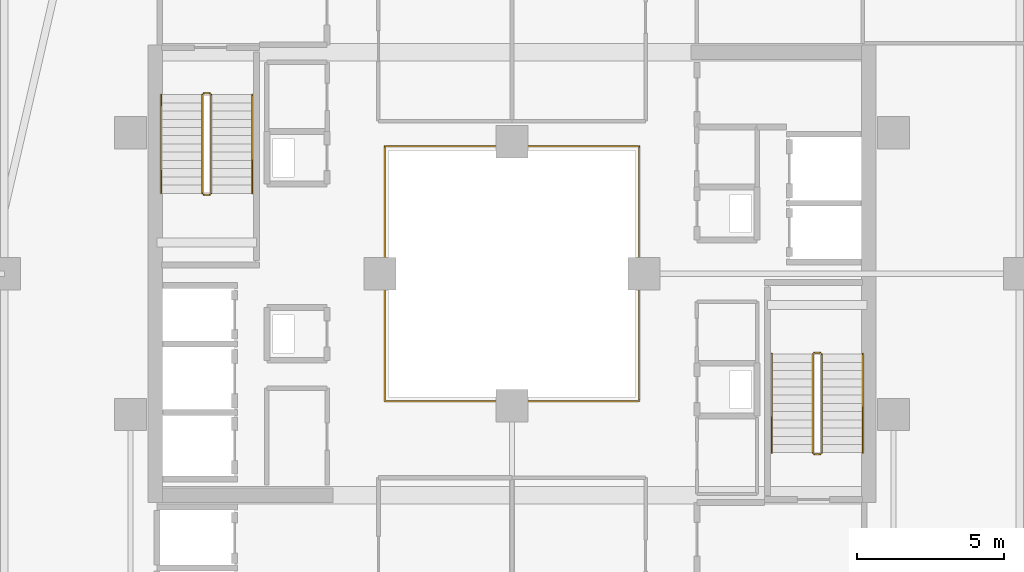
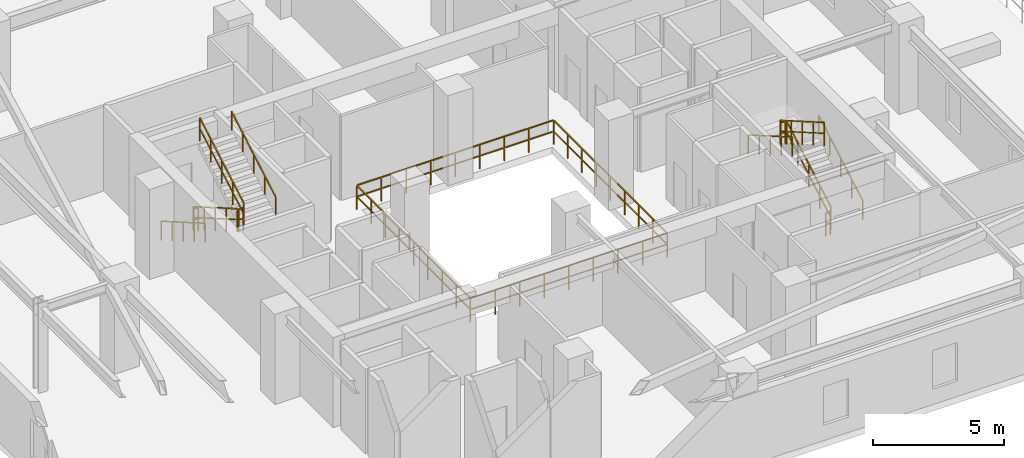
# One storey, part 32 of 33: 13 railings.
"""IFC4 building model written with IfcOpenShell, lengths in metres."""

from ifc_helpers import new_model, si_unit, direction, frame, origin, origin_2d, place, context, subcontext, project, spatial, rectangle, extrude, material, type_object, element, save


model = new_model("IFC4")

# Units and contexts
model_context = context("Model", 3, precision=1e-05, world=origin(), true_north=direction((0.0, 1.0)))
body_context = subcontext(model_context, "Body", "Model", "MODEL_VIEW")
ifc_project = project(units=[si_unit("LENGTHUNIT", "METRE"), si_unit("AREAUNIT", "SQUARE_METRE"), si_unit("VOLUMEUNIT", "CUBIC_METRE"), si_unit("PLANEANGLEUNIT", "RADIAN"), si_unit("MASSUNIT", "GRAM", prefix="KILO")], contexts=[model_context])

# Site, building, storey
site_placement = place(None, origin())
site = spatial("IfcSite", under=ifc_project, at=site_placement, CompositionType="ELEMENT")
building_placement = place(site_placement, origin())
building = spatial("IfcBuilding", under=site, at=building_placement, Name="Thornwick Lancets Civic Towers", CompositionType="ELEMENT")
storey_placement = place(building_placement, frame((0.0, 0.0, 174.300048828125)))
storey = spatial("IfcBuildingStorey", under=building, at=storey_placement, Name="L46", CompositionType="ELEMENT", Elevation=174.300048828125)

# Railings
ifc_material_1 = material(Name="Laminated glass and bronze steel S355", Category="steel")
railing_type_1 = type_object("IfcRailingType", Name="RAIL_ATRIUM_GUARD", PredefinedType="BALUSTRADE", material=ifc_material_1)
railing_1_placement = place(storey_placement, frame((84.159912109375, 22.659912109375, 0.0)))
element("IfcRailing", 1, at=railing_1_placement, inside=storey, type_object=railing_type_1, Name="L46 Tower B Central Atrium Guard Balustrade", PredefinedType="BALUSTRADE", context=body_context, shape_type="SweptSolid", body=[
    extrude(rectangle(XDim=0.048095703125, YDim=0.048095703125, at=origin_2d()), frame((0.0, 0.0, 1.1259765625), z_axis=(1.0, 0.0, 0.0), x_axis=(0.0, 1.0, 0.0)), (0.0, 0.0, 1.0), 8.64892578125),
    extrude(rectangle(XDim=0.0419921875, YDim=0.0419921875, at=origin_2d()), frame((0.03759765625, 0.0, 0.597900390625), z_axis=(1.0, 0.0, 0.0), x_axis=(0.0, 1.0, 0.0)), (0.0, 0.0, 1.0), 1.010009765625),
    extrude(rectangle(XDim=0.0419921875, YDim=0.0419921875, at=origin_2d()), frame((1.12255859375, 0.0, 0.597900390625), z_axis=(1.0, 0.0, 0.0), x_axis=(0.0, 1.0, 0.0)), (0.0, 0.0, 1.0), 1.010009765625),
    extrude(rectangle(XDim=0.0419921875, YDim=0.0419921875, at=origin_2d()), frame((2.20751953125, 0.0, 0.597900390625), z_axis=(1.0, 0.0, 0.0), x_axis=(0.0, 1.0, 0.0)), (0.0, 0.0, 1.0), 1.010009765625),
    extrude(rectangle(XDim=0.0419921875, YDim=0.0419921875, at=origin_2d()), frame((3.29248046875, 0.0, 0.597900390625), z_axis=(1.0, 0.0, 0.0), x_axis=(0.0, 1.0, 0.0)), (0.0, 0.0, 1.0), 1.010009765625),
    extrude(rectangle(XDim=0.0419921875, YDim=0.0419921875, at=origin_2d()), frame((4.377685546875, 0.0, 0.597900390625), z_axis=(1.0, 0.0, 0.0), x_axis=(0.0, 1.0, 0.0)), (0.0, 0.0, 1.0), 1.010009765625),
    extrude(rectangle(XDim=0.0419921875, YDim=0.0419921875, at=origin_2d()), frame((5.462646484375, 0.0, 0.597900390625), z_axis=(1.0, 0.0, 0.0), x_axis=(0.0, 1.0, 0.0)), (0.0, 0.0, 1.0), 1.010009765625),
    extrude(rectangle(XDim=0.0419921875, YDim=0.0419921875, at=origin_2d()), frame((6.547607421875, 0.0, 0.597900390625), z_axis=(1.0, 0.0, 0.0), x_axis=(0.0, 1.0, 0.0)), (0.0, 0.0, 1.0), 1.010009765625),
    extrude(rectangle(XDim=0.0419921875, YDim=0.0419921875, at=origin_2d()), frame((7.632568359375, 0.0, 0.597900390625), z_axis=(1.0, 0.0, 0.0), x_axis=(0.0, 1.0, 0.0)), (0.0, 0.0, 1.0), 1.010009765625),
    extrude(rectangle(XDim=0.048095703125, YDim=0.048095703125, at=origin_2d()), frame((8.68017578125, 0.03125, 1.1259765625), z_axis=(0.0, 1.0, 0.0), x_axis=(-1.0, 0.0, 0.0)), (0.0, 0.0, 1.0), 8.61767578125),
    extrude(rectangle(XDim=0.0419921875, YDim=0.0419921875, at=origin_2d()), frame((8.68017578125, 0.03759765625, 0.597900390625), z_axis=(0.0, 1.0, 0.0), x_axis=(-1.0, 0.0, 0.0)), (0.0, 0.0, 1.0), 1.010009765625),
    extrude(rectangle(XDim=0.0419921875, YDim=0.0419921875, at=origin_2d()), frame((8.68017578125, 1.12255859375, 0.597900390625), z_axis=(0.0, 1.0, 0.0), x_axis=(-1.0, 0.0, 0.0)), (0.0, 0.0, 1.0), 1.010009765625),
    extrude(rectangle(XDim=0.0419921875, YDim=0.0419921875, at=origin_2d()), frame((8.68017578125, 2.20751953125, 0.597900390625), z_axis=(0.0, 1.0, 0.0), x_axis=(-1.0, 0.0, 0.0)), (0.0, 0.0, 1.0), 1.010009765625),
    extrude(rectangle(XDim=0.0419921875, YDim=0.0419921875, at=origin_2d()), frame((8.68017578125, 3.29248046875, 0.597900390625), z_axis=(0.0, 1.0, 0.0), x_axis=(-1.0, 0.0, 0.0)), (0.0, 0.0, 1.0), 1.010009765625),
    extrude(rectangle(XDim=0.0419921875, YDim=0.0419921875, at=origin_2d()), frame((8.68017578125, 4.377685546875, 0.597900390625), z_axis=(0.0, 1.0, 0.0), x_axis=(-1.0, 0.0, 0.0)), (0.0, 0.0, 1.0), 1.010009765625),
    extrude(rectangle(XDim=0.0419921875, YDim=0.0419921875, at=origin_2d()), frame((8.68017578125, 5.462646484375, 0.597900390625), z_axis=(0.0, 1.0, 0.0), x_axis=(-1.0, 0.0, 0.0)), (0.0, 0.0, 1.0), 1.010009765625),
    extrude(rectangle(XDim=0.0419921875, YDim=0.0419921875, at=origin_2d()), frame((8.68017578125, 6.547607421875, 0.597900390625), z_axis=(0.0, 1.0, 0.0), x_axis=(-1.0, 0.0, 0.0)), (0.0, 0.0, 1.0), 1.010009765625),
    extrude(rectangle(XDim=0.0419921875, YDim=0.0419921875, at=origin_2d()), frame((8.68017578125, 7.632568359375, 0.597900390625), z_axis=(0.0, 1.0, 0.0), x_axis=(-1.0, 0.0, 0.0)), (0.0, 0.0, 1.0), 1.010009765625),
    extrude(rectangle(XDim=0.048095703125, YDim=0.048095703125, at=origin_2d()), frame((8.64892578125, 8.68017578125, 1.1259765625), z_axis=(-1.0, 0.0, 0.0), x_axis=(0.0, -1.0, 0.0)), (0.0, 0.0, 1.0), 8.61767578125),
    extrude(rectangle(XDim=0.0419921875, YDim=0.0419921875, at=origin_2d()), frame((8.642578125, 8.68017578125, 0.597900390625), z_axis=(-1.0, 0.0, 0.0), x_axis=(0.0, -1.0, 0.0)), (0.0, 0.0, 1.0), 1.010009765625),
    extrude(rectangle(XDim=0.0419921875, YDim=0.0419921875, at=origin_2d()), frame((7.5576171875, 8.68017578125, 0.597900390625), z_axis=(-1.0, 0.0, 0.0), x_axis=(0.0, -1.0, 0.0)), (0.0, 0.0, 1.0), 1.010009765625),
    extrude(rectangle(XDim=0.0419921875, YDim=0.0419921875, at=origin_2d()), frame((6.47265625, 8.68017578125, 0.597900390625), z_axis=(-1.0, 0.0, 0.0), x_axis=(0.0, -1.0, 0.0)), (0.0, 0.0, 1.0), 1.010009765625),
    extrude(rectangle(XDim=0.0419921875, YDim=0.0419921875, at=origin_2d()), frame((5.3876953125, 8.68017578125, 0.597900390625), z_axis=(-1.0, 0.0, 0.0), x_axis=(0.0, -1.0, 0.0)), (0.0, 0.0, 1.0), 1.010009765625),
    extrude(rectangle(XDim=0.0419921875, YDim=0.0419921875, at=origin_2d()), frame((4.302490234375, 8.68017578125, 0.597900390625), z_axis=(-1.0, 0.0, 0.0), x_axis=(0.0, -1.0, 0.0)), (0.0, 0.0, 1.0), 1.010009765625),
    extrude(rectangle(XDim=0.0419921875, YDim=0.0419921875, at=origin_2d()), frame((3.217529296875, 8.68017578125, 0.597900390625), z_axis=(-1.0, 0.0, 0.0), x_axis=(0.0, -1.0, 0.0)), (0.0, 0.0, 1.0), 1.010009765625),
    extrude(rectangle(XDim=0.0419921875, YDim=0.0419921875, at=origin_2d()), frame((2.132568359375, 8.68017578125, 0.597900390625), z_axis=(-1.0, 0.0, 0.0), x_axis=(0.0, -1.0, 0.0)), (0.0, 0.0, 1.0), 1.010009765625),
    extrude(rectangle(XDim=0.0419921875, YDim=0.0419921875, at=origin_2d()), frame((1.047607421875, 8.68017578125, 0.597900390625), z_axis=(-1.0, 0.0, 0.0), x_axis=(0.0, -1.0, 0.0)), (0.0, 0.0, 1.0), 1.010009765625),
    extrude(rectangle(XDim=0.048095703125, YDim=0.048095703125, at=origin_2d()), frame((0.0, 8.64892578125, 1.1259765625), z_axis=(0.0, -1.0, 0.0), x_axis=(1.0, 0.0, 0.0)), (0.0, 0.0, 1.0), 8.64892578125),
    extrude(rectangle(XDim=0.0419921875, YDim=0.0419921875, at=origin_2d()), frame((0.0, 8.642578125, 0.597900390625), z_axis=(0.0, -1.0, 0.0), x_axis=(1.0, 0.0, 0.0)), (0.0, 0.0, 1.0), 1.010009765625),
    extrude(rectangle(XDim=0.0419921875, YDim=0.0419921875, at=origin_2d()), frame((0.0, 7.5576171875, 0.597900390625), z_axis=(0.0, -1.0, 0.0), x_axis=(1.0, 0.0, 0.0)), (0.0, 0.0, 1.0), 1.010009765625),
    extrude(rectangle(XDim=0.0419921875, YDim=0.0419921875, at=origin_2d()), frame((0.0, 6.47265625, 0.597900390625), z_axis=(0.0, -1.0, 0.0), x_axis=(1.0, 0.0, 0.0)), (0.0, 0.0, 1.0), 1.010009765625),
    extrude(rectangle(XDim=0.0419921875, YDim=0.0419921875, at=origin_2d()), frame((0.0, 5.3876953125, 0.597900390625), z_axis=(0.0, -1.0, 0.0), x_axis=(1.0, 0.0, 0.0)), (0.0, 0.0, 1.0), 1.010009765625),
    extrude(rectangle(XDim=0.0419921875, YDim=0.0419921875, at=origin_2d()), frame((0.0, 4.302490234375, 0.597900390625), z_axis=(0.0, -1.0, 0.0), x_axis=(1.0, 0.0, 0.0)), (0.0, 0.0, 1.0), 1.010009765625),
    extrude(rectangle(XDim=0.0419921875, YDim=0.0419921875, at=origin_2d()), frame((0.0, 3.217529296875, 0.597900390625), z_axis=(0.0, -1.0, 0.0), x_axis=(1.0, 0.0, 0.0)), (0.0, 0.0, 1.0), 1.010009765625),
    extrude(rectangle(XDim=0.0419921875, YDim=0.0419921875, at=origin_2d()), frame((0.0, 2.132568359375, 0.597900390625), z_axis=(0.0, -1.0, 0.0), x_axis=(1.0, 0.0, 0.0)), (0.0, 0.0, 1.0), 1.010009765625),
    extrude(rectangle(XDim=0.0419921875, YDim=0.0419921875, at=origin_2d()), frame((0.0, 1.047607421875, 0.597900390625), z_axis=(0.0, -1.0, 0.0), x_axis=(1.0, 0.0, 0.0)), (0.0, 0.0, 1.0), 1.010009765625),
    extrude(rectangle(XDim=0.0419921875, YDim=0.0419921875, at=origin_2d()), origin(), (0.0, 0.0, 1.0), 1.095703125),
    extrude(rectangle(XDim=0.0419921875, YDim=0.0419921875, at=origin_2d()), frame((1.0849609375, 0.0, 0.0)), (0.0, 0.0, 1.0), 1.095703125),
    extrude(rectangle(XDim=0.0419921875, YDim=0.0419921875, at=origin_2d()), frame((2.169921875, 0.0, 0.0)), (0.0, 0.0, 1.0), 1.095703125),
    extrude(rectangle(XDim=0.0419921875, YDim=0.0419921875, at=origin_2d()), frame((3.255126953125, 0.0, 0.0)), (0.0, 0.0, 1.0), 1.095703125),
    extrude(rectangle(XDim=0.0419921875, YDim=0.0419921875, at=origin_2d()), frame((4.340087890625, 0.0, 0.0)), (0.0, 0.0, 1.0), 1.095703125),
    extrude(rectangle(XDim=0.0419921875, YDim=0.0419921875, at=origin_2d()), frame((5.425048828125, 0.0, 0.0)), (0.0, 0.0, 1.0), 1.095703125),
    extrude(rectangle(XDim=0.0419921875, YDim=0.0419921875, at=origin_2d()), frame((6.51025390625, 0.0, 0.0)), (0.0, 0.0, 1.0), 1.095703125),
    extrude(rectangle(XDim=0.0419921875, YDim=0.0419921875, at=origin_2d()), frame((7.59521484375, 0.0, 0.0)), (0.0, 0.0, 1.0), 1.095703125),
    extrude(rectangle(XDim=0.0419921875, YDim=0.0419921875, at=origin_2d()), frame((8.68017578125, 0.0, 0.0)), (0.0, 0.0, 1.0), 1.095703125),
    extrude(rectangle(XDim=0.0419921875, YDim=0.0419921875, at=origin_2d()), frame((8.68017578125, 1.0849609375, 0.0)), (0.0, 0.0, 1.0), 1.095703125),
    extrude(rectangle(XDim=0.0419921875, YDim=0.0419921875, at=origin_2d()), frame((8.68017578125, 2.169921875, 0.0)), (0.0, 0.0, 1.0), 1.095703125),
    extrude(rectangle(XDim=0.0419921875, YDim=0.0419921875, at=origin_2d()), frame((8.68017578125, 3.255126953125, 0.0)), (0.0, 0.0, 1.0), 1.095703125),
    extrude(rectangle(XDim=0.0419921875, YDim=0.0419921875, at=origin_2d()), frame((8.68017578125, 4.340087890625, 0.0)), (0.0, 0.0, 1.0), 1.095703125),
    extrude(rectangle(XDim=0.0419921875, YDim=0.0419921875, at=origin_2d()), frame((8.68017578125, 5.425048828125, 0.0)), (0.0, 0.0, 1.0), 1.095703125),
    extrude(rectangle(XDim=0.0419921875, YDim=0.0419921875, at=origin_2d()), frame((8.68017578125, 6.51025390625, 0.0)), (0.0, 0.0, 1.0), 1.095703125),
    extrude(rectangle(XDim=0.0419921875, YDim=0.0419921875, at=origin_2d()), frame((8.68017578125, 7.59521484375, 0.0)), (0.0, 0.0, 1.0), 1.095703125),
    extrude(rectangle(XDim=0.0419921875, YDim=0.0419921875, at=origin_2d()), frame((8.68017578125, 8.68017578125, 0.0)), (0.0, 0.0, 1.0), 1.095703125),
    extrude(rectangle(XDim=0.0419921875, YDim=0.0419921875, at=origin_2d()), frame((7.59521484375, 8.68017578125, 0.0)), (0.0, 0.0, 1.0), 1.095703125),
    extrude(rectangle(XDim=0.0419921875, YDim=0.0419921875, at=origin_2d()), frame((6.51025390625, 8.68017578125, 0.0)), (0.0, 0.0, 1.0), 1.095703125),
    extrude(rectangle(XDim=0.0419921875, YDim=0.0419921875, at=origin_2d()), frame((5.425048828125, 8.68017578125, 0.0)), (0.0, 0.0, 1.0), 1.095703125),
    extrude(rectangle(XDim=0.0419921875, YDim=0.0419921875, at=origin_2d()), frame((4.340087890625, 8.68017578125, 0.0)), (0.0, 0.0, 1.0), 1.095703125),
    extrude(rectangle(XDim=0.0419921875, YDim=0.0419921875, at=origin_2d()), frame((3.255126953125, 8.68017578125, 0.0)), (0.0, 0.0, 1.0), 1.095703125),
    extrude(rectangle(XDim=0.0419921875, YDim=0.0419921875, at=origin_2d()), frame((2.169921875, 8.68017578125, 0.0)), (0.0, 0.0, 1.0), 1.095703125),
    extrude(rectangle(XDim=0.0419921875, YDim=0.0419921875, at=origin_2d()), frame((1.0849609375, 8.68017578125, 0.0)), (0.0, 0.0, 1.0), 1.095703125),
    extrude(rectangle(XDim=0.0419921875, YDim=0.0419921875, at=origin_2d()), frame((0.0, 8.68017578125, 0.0)), (0.0, 0.0, 1.0), 1.095703125),
    extrude(rectangle(XDim=0.0419921875, YDim=0.0419921875, at=origin_2d()), frame((0.0, 7.59521484375, 0.0)), (0.0, 0.0, 1.0), 1.095703125),
    extrude(rectangle(XDim=0.0419921875, YDim=0.0419921875, at=origin_2d()), frame((0.0, 6.51025390625, 0.0)), (0.0, 0.0, 1.0), 1.095703125),
    extrude(rectangle(XDim=0.0419921875, YDim=0.0419921875, at=origin_2d()), frame((0.0, 5.425048828125, 0.0)), (0.0, 0.0, 1.0), 1.095703125),
    extrude(rectangle(XDim=0.0419921875, YDim=0.0419921875, at=origin_2d()), frame((0.0, 4.340087890625, 0.0)), (0.0, 0.0, 1.0), 1.095703125),
    extrude(rectangle(XDim=0.0419921875, YDim=0.0419921875, at=origin_2d()), frame((0.0, 3.255126953125, 0.0)), (0.0, 0.0, 1.0), 1.095703125),
    extrude(rectangle(XDim=0.0419921875, YDim=0.0419921875, at=origin_2d()), frame((0.0, 2.169921875, 0.0)), (0.0, 0.0, 1.0), 1.095703125),
    extrude(rectangle(XDim=0.0419921875, YDim=0.0419921875, at=origin_2d()), frame((0.0, 1.0849609375, 0.0)), (0.0, 0.0, 1.0), 1.095703125),
])
ifc_material_2 = material(Name="Brushed stainless steel S355", Category="steel")
railing_type_2 = type_object("IfcRailingType", Name="RAIL_HANDRAIL", PredefinedType="HANDRAIL", material=ifc_material_2)
railing_2_placement = place(storey_placement, frame((100.449951171875, 20.89990234375, 0.161376953125)))
element("IfcRailing", 2, at=railing_2_placement, inside=storey, type_object=railing_type_2, Name="L46 ST-B1 stair handrail 1", PredefinedType="HANDRAIL", context=body_context, shape_type="SweptSolid", body=[
    extrude(rectangle(XDim=0.048095703125, YDim=0.048095703125, at=origin_2d()), frame((0.0, 0.0, 0.8857421875), z_axis=(0.0, 0.866190824863, 0.499713372768), x_axis=(-1.0, 0.0, 0.0)), (0.0, 0.0, 1.0), 3.879150390625),
    extrude(rectangle(XDim=0.0419921875, YDim=0.0419921875, at=origin_2d()), origin(), (0.0, 0.0, 1.0), 0.855712890625),
    extrude(rectangle(XDim=0.0419921875, YDim=0.0419921875, at=origin_2d()), frame((0.0, 0.840087890625, 0.484619140625)), (0.0, 0.0, 1.0), 0.855712890625),
    extrude(rectangle(XDim=0.0419921875, YDim=0.0419921875, at=origin_2d()), frame((0.0, 1.68017578125, 0.96923828125)), (0.0, 0.0, 1.0), 0.855712890625),
    extrude(rectangle(XDim=0.0419921875, YDim=0.0419921875, at=origin_2d()), frame((0.0, 2.52001953125, 1.453857421875)), (0.0, 0.0, 1.0), 0.855712890625),
    extrude(rectangle(XDim=0.0419921875, YDim=0.0419921875, at=origin_2d()), frame((0.0, 3.360107421875, 1.9384765625)), (0.0, 0.0, 1.0), 0.855712890625),
])
for number, where, name in (
    (3, (97.35009765625, 24.260009765625, 2.261474609375), "L46 ST-B1 stair handrail 2"),
    (4, (76.550048828125, 33.10009765625, 0.161376953125), "L46 ST-B2 stair handrail 1"),
):
    element("IfcRailing", number, at=place(storey_placement, frame(where)), inside=storey, type_object=railing_type_2, Name=name, PredefinedType="HANDRAIL", context=body_context, shape_type="SweptSolid", body=[
        extrude(rectangle(XDim=0.048095703125, YDim=0.048095703125, at=origin_2d()), frame((0.0, 0.0, 0.8857421875), z_axis=(0.0, -0.866190824863, 0.499713372768), x_axis=(1.0, 0.0, 0.0)), (0.0, 0.0, 1.0), 3.879150390625),
        extrude(rectangle(XDim=0.0419921875, YDim=0.0419921875, at=origin_2d()), origin(), (0.0, 0.0, 1.0), 0.855712890625),
        extrude(rectangle(XDim=0.0419921875, YDim=0.0419921875, at=origin_2d()), frame((0.0, -0.840087890625, 0.484619140625)), (0.0, 0.0, 1.0), 0.855712890625),
        extrude(rectangle(XDim=0.0419921875, YDim=0.0419921875, at=origin_2d()), frame((0.0, -1.68017578125, 0.96923828125)), (0.0, 0.0, 1.0), 0.855712890625),
        extrude(rectangle(XDim=0.0419921875, YDim=0.0419921875, at=origin_2d()), frame((0.0, -2.52001953125, 1.453857421875)), (0.0, 0.0, 1.0), 0.855712890625),
        extrude(rectangle(XDim=0.0419921875, YDim=0.0419921875, at=origin_2d()), frame((0.0, -3.360107421875, 1.9384765625)), (0.0, 0.0, 1.0), 0.855712890625),
    ])
railing_3_placement = place(storey_placement, frame((79.64990234375, 29.739990234375, 2.261474609375)))
element("IfcRailing", 5, at=railing_3_placement, inside=storey, type_object=railing_type_2, Name="L46 ST-B2 stair handrail 2", PredefinedType="HANDRAIL", context=body_context, shape_type="SweptSolid", body=[
    extrude(rectangle(XDim=0.048095703125, YDim=0.048095703125, at=origin_2d()), frame((0.0, 0.0, 0.8857421875), z_axis=(0.0, 0.866190824863, 0.499713372768), x_axis=(-1.0, 0.0, 0.0)), (0.0, 0.0, 1.0), 3.879150390625),
    extrude(rectangle(XDim=0.0419921875, YDim=0.0419921875, at=origin_2d()), origin(), (0.0, 0.0, 1.0), 0.855712890625),
    extrude(rectangle(XDim=0.0419921875, YDim=0.0419921875, at=origin_2d()), frame((0.0, 0.840087890625, 0.484619140625)), (0.0, 0.0, 1.0), 0.855712890625),
    extrude(rectangle(XDim=0.0419921875, YDim=0.0419921875, at=origin_2d()), frame((0.0, 1.68017578125, 0.96923828125)), (0.0, 0.0, 1.0), 0.855712890625),
    extrude(rectangle(XDim=0.0419921875, YDim=0.0419921875, at=origin_2d()), frame((0.0, 2.52001953125, 1.453857421875)), (0.0, 0.0, 1.0), 0.855712890625),
    extrude(rectangle(XDim=0.0419921875, YDim=0.0419921875, at=origin_2d()), frame((0.0, 3.360107421875, 1.9384765625)), (0.0, 0.0, 1.0), 0.855712890625),
])
ifc_material_3 = material(Name="Steel S355JR", Category="steel")
railing_type_3 = type_object("IfcRailingType", Name="RAIL_STAIR_GUARD", PredefinedType="GUARDRAIL", material=ifc_material_3)
railing_4_placement = place(storey_placement, frame((99.050048828125, 20.89990234375, 0.161376953125)))
element("IfcRailing", 6, at=railing_4_placement, inside=storey, type_object=railing_type_3, Name="L46 ST-B1 stair guard 1", PredefinedType="GUARDRAIL", context=body_context, shape_type="SweptSolid", body=[
    extrude(rectangle(XDim=0.048095703125, YDim=0.048095703125, at=origin_2d()), frame((0.0, 0.0, 1.076171875), z_axis=(0.0, 0.866190824863, 0.499713372768), x_axis=(-1.0, 0.0, 0.0)), (0.0, 0.0, 1.0), 3.879150390625),
    extrude(rectangle(XDim=0.0419921875, YDim=0.0419921875, at=origin_2d()), frame((0.0, 0.032470703125, 0.5908203125), z_axis=(0.0, 0.866190824863, 0.499713372768), x_axis=(-1.0, 0.0, 0.0)), (0.0, 0.0, 1.0), 0.894775390625),
    extrude(rectangle(XDim=0.0419921875, YDim=0.0419921875, at=origin_2d()), frame((0.0, 0.87255859375, 1.075439453125), z_axis=(0.0, 0.866190824863, 0.499713372768), x_axis=(-1.0, 0.0, 0.0)), (0.0, 0.0, 1.0), 0.894775390625),
    extrude(rectangle(XDim=0.0419921875, YDim=0.0419921875, at=origin_2d()), frame((0.0, 1.712646484375, 1.56005859375), z_axis=(0.0, 0.866190824863, 0.499713372768), x_axis=(-1.0, 0.0, 0.0)), (0.0, 0.0, 1.0), 0.894775390625),
    extrude(rectangle(XDim=0.0419921875, YDim=0.0419921875, at=origin_2d()), frame((0.0, 2.552490234375, 2.044677734375), z_axis=(0.0, 0.866190824863, 0.499713372768), x_axis=(-1.0, 0.0, 0.0)), (0.0, 0.0, 1.0), 0.894775390625),
    extrude(rectangle(XDim=0.0419921875, YDim=0.0419921875, at=origin_2d()), origin(), (0.0, 0.0, 1.0), 1.0458984375),
    extrude(rectangle(XDim=0.0419921875, YDim=0.0419921875, at=origin_2d()), frame((0.0, 0.840087890625, 0.484619140625)), (0.0, 0.0, 1.0), 1.0458984375),
    extrude(rectangle(XDim=0.0419921875, YDim=0.0419921875, at=origin_2d()), frame((0.0, 1.68017578125, 0.96923828125)), (0.0, 0.0, 1.0), 1.0458984375),
    extrude(rectangle(XDim=0.0419921875, YDim=0.0419921875, at=origin_2d()), frame((0.0, 2.52001953125, 1.453857421875)), (0.0, 0.0, 1.0), 1.0458984375),
    extrude(rectangle(XDim=0.0419921875, YDim=0.0419921875, at=origin_2d()), frame((0.0, 3.360107421875, 1.9384765625)), (0.0, 0.0, 1.0), 1.0458984375),
])
railing_5_placement = place(storey_placement, frame((99.0, 24.31005859375, 2.099853515625)))
element("IfcRailing", 7, at=railing_5_placement, inside=storey, type_object=railing_type_3, Name="L46 ST-B1 stair guard 2", PredefinedType="GUARDRAIL", context=body_context, shape_type="SweptSolid", body=[
    extrude(rectangle(XDim=0.048095703125, YDim=0.048095703125, at=origin_2d()), frame((0.0, 0.0, 1.076171875), z_axis=(-1.0, 0.0, 0.0), x_axis=(0.0, -1.0, 0.0)), (0.0, 0.0, 1.0), 0.199951171875),
    extrude(rectangle(XDim=0.0419921875, YDim=0.0419921875, at=origin_2d()), frame((-0.03759765625, 0.0, 0.572021484375), z_axis=(-1.0, 0.0, 0.0), x_axis=(0.0, -1.0, 0.0)), (0.0, 0.0, 1.0), 0.125),
    extrude(rectangle(XDim=0.0419921875, YDim=0.0419921875, at=origin_2d()), origin(), (0.0, 0.0, 1.0), 1.0458984375),
    extrude(rectangle(XDim=0.0419921875, YDim=0.0419921875, at=origin_2d()), frame((-0.199951171875, 0.0, 0.0)), (0.0, 0.0, 1.0), 1.0458984375),
])
railing_6_placement = place(storey_placement, frame((98.75, 24.260009765625, 2.261474609375)))
element("IfcRailing", 8, at=railing_6_placement, inside=storey, type_object=railing_type_3, Name="L46 ST-B1 stair guard 3", PredefinedType="GUARDRAIL", context=body_context, shape_type="SweptSolid", body=[
    extrude(rectangle(XDim=0.048095703125, YDim=0.048095703125, at=origin_2d()), frame((0.0, 0.0, 1.076171875), z_axis=(0.0, -0.866190824863, 0.499713372768), x_axis=(1.0, 0.0, 0.0)), (0.0, 0.0, 1.0), 3.879150390625),
    extrude(rectangle(XDim=0.0419921875, YDim=0.0419921875, at=origin_2d()), frame((0.0, -0.032470703125, 0.5908203125), z_axis=(0.0, -0.866190824863, 0.499713372768), x_axis=(1.0, 0.0, 0.0)), (0.0, 0.0, 1.0), 0.894775390625),
    extrude(rectangle(XDim=0.0419921875, YDim=0.0419921875, at=origin_2d()), frame((0.0, -0.87255859375, 1.075439453125), z_axis=(0.0, -0.866190824863, 0.499713372768), x_axis=(1.0, 0.0, 0.0)), (0.0, 0.0, 1.0), 0.894775390625),
    extrude(rectangle(XDim=0.0419921875, YDim=0.0419921875, at=origin_2d()), frame((0.0, -1.712646484375, 1.56005859375), z_axis=(0.0, -0.866190824863, 0.499713372768), x_axis=(1.0, 0.0, 0.0)), (0.0, 0.0, 1.0), 0.894775390625),
    extrude(rectangle(XDim=0.0419921875, YDim=0.0419921875, at=origin_2d()), frame((0.0, -2.552490234375, 2.044677734375), z_axis=(0.0, -0.866190824863, 0.499713372768), x_axis=(1.0, 0.0, 0.0)), (0.0, 0.0, 1.0), 0.894775390625),
    extrude(rectangle(XDim=0.0419921875, YDim=0.0419921875, at=origin_2d()), origin(), (0.0, 0.0, 1.0), 1.0458984375),
    extrude(rectangle(XDim=0.0419921875, YDim=0.0419921875, at=origin_2d()), frame((0.0, -0.840087890625, 0.484619140625)), (0.0, 0.0, 1.0), 1.0458984375),
    extrude(rectangle(XDim=0.0419921875, YDim=0.0419921875, at=origin_2d()), frame((0.0, -1.68017578125, 0.96923828125)), (0.0, 0.0, 1.0), 1.0458984375),
    extrude(rectangle(XDim=0.0419921875, YDim=0.0419921875, at=origin_2d()), frame((0.0, -2.52001953125, 1.453857421875)), (0.0, 0.0, 1.0), 1.0458984375),
    extrude(rectangle(XDim=0.0419921875, YDim=0.0419921875, at=origin_2d()), frame((0.0, -3.360107421875, 1.9384765625)), (0.0, 0.0, 1.0), 1.0458984375),
])
railing_7_placement = place(storey_placement, frame((99.0, 20.85009765625, 0.0)))
element("IfcRailing", 9, at=railing_7_placement, inside=storey, type_object=railing_type_3, Name="L46 ST-B1 stair guard 4", PredefinedType="GUARDRAIL", context=body_context, shape_type="SweptSolid", body=[
    extrude(rectangle(XDim=0.048095703125, YDim=0.048095703125, at=origin_2d()), frame((0.0, 0.0, 1.076171875), z_axis=(-1.0, 0.0, 0.0), x_axis=(0.0, -1.0, 0.0)), (0.0, 0.0, 1.0), 0.199951171875),
    extrude(rectangle(XDim=0.0419921875, YDim=0.0419921875, at=origin_2d()), frame((-0.03759765625, 0.0, 0.572021484375), z_axis=(-1.0, 0.0, 0.0), x_axis=(0.0, -1.0, 0.0)), (0.0, 0.0, 1.0), 0.125),
    extrude(rectangle(XDim=0.0419921875, YDim=0.0419921875, at=origin_2d()), origin(), (0.0, 0.0, 1.0), 1.0458984375),
    extrude(rectangle(XDim=0.0419921875, YDim=0.0419921875, at=origin_2d()), frame((-0.199951171875, 0.0, 0.0)), (0.0, 0.0, 1.0), 1.0458984375),
])
railing_8_placement = place(storey_placement, frame((77.949951171875, 33.10009765625, 0.161376953125)))
element("IfcRailing", 10, at=railing_8_placement, inside=storey, type_object=railing_type_3, Name="L46 ST-B2 stair guard 1", PredefinedType="GUARDRAIL", context=body_context, shape_type="SweptSolid", body=[
    extrude(rectangle(XDim=0.048095703125, YDim=0.048095703125, at=origin_2d()), frame((0.0, 0.0, 1.076171875), z_axis=(0.0, -0.866190824863, 0.499713372768), x_axis=(1.0, 0.0, 0.0)), (0.0, 0.0, 1.0), 3.879150390625),
    extrude(rectangle(XDim=0.0419921875, YDim=0.0419921875, at=origin_2d()), frame((0.0, -0.032470703125, 0.5908203125), z_axis=(0.0, -0.866190824863, 0.499713372768), x_axis=(1.0, 0.0, 0.0)), (0.0, 0.0, 1.0), 0.894775390625),
    extrude(rectangle(XDim=0.0419921875, YDim=0.0419921875, at=origin_2d()), frame((0.0, -0.87255859375, 1.075439453125), z_axis=(0.0, -0.866190824863, 0.499713372768), x_axis=(1.0, 0.0, 0.0)), (0.0, 0.0, 1.0), 0.894775390625),
    extrude(rectangle(XDim=0.0419921875, YDim=0.0419921875, at=origin_2d()), frame((0.0, -1.712646484375, 1.56005859375), z_axis=(0.0, -0.866190824863, 0.499713372768), x_axis=(1.0, 0.0, 0.0)), (0.0, 0.0, 1.0), 0.894775390625),
    extrude(rectangle(XDim=0.0419921875, YDim=0.0419921875, at=origin_2d()), frame((0.0, -2.552490234375, 2.044677734375), z_axis=(0.0, -0.866190824863, 0.499713372768), x_axis=(1.0, 0.0, 0.0)), (0.0, 0.0, 1.0), 0.894775390625),
    extrude(rectangle(XDim=0.0419921875, YDim=0.0419921875, at=origin_2d()), origin(), (0.0, 0.0, 1.0), 1.0458984375),
    extrude(rectangle(XDim=0.0419921875, YDim=0.0419921875, at=origin_2d()), frame((0.0, -0.840087890625, 0.484619140625)), (0.0, 0.0, 1.0), 1.0458984375),
    extrude(rectangle(XDim=0.0419921875, YDim=0.0419921875, at=origin_2d()), frame((0.0, -1.68017578125, 0.96923828125)), (0.0, 0.0, 1.0), 1.0458984375),
    extrude(rectangle(XDim=0.0419921875, YDim=0.0419921875, at=origin_2d()), frame((0.0, -2.52001953125, 1.453857421875)), (0.0, 0.0, 1.0), 1.0458984375),
    extrude(rectangle(XDim=0.0419921875, YDim=0.0419921875, at=origin_2d()), frame((0.0, -3.360107421875, 1.9384765625)), (0.0, 0.0, 1.0), 1.0458984375),
])
railing_9_placement = place(storey_placement, frame((78.0, 29.68994140625, 2.099853515625)))
element("IfcRailing", 11, at=railing_9_placement, inside=storey, type_object=railing_type_3, Name="L46 ST-B2 stair guard 2", PredefinedType="GUARDRAIL", context=body_context, shape_type="SweptSolid", body=[
    extrude(rectangle(XDim=0.048095703125, YDim=0.048095703125, at=origin_2d()), frame((0.0, 0.0, 1.076171875), z_axis=(1.0, 0.0, 0.0), x_axis=(0.0, 1.0, 0.0)), (0.0, 0.0, 1.0), 0.199951171875),
    extrude(rectangle(XDim=0.0419921875, YDim=0.0419921875, at=origin_2d()), frame((0.03759765625, 0.0, 0.572021484375), z_axis=(1.0, 0.0, 0.0), x_axis=(0.0, 1.0, 0.0)), (0.0, 0.0, 1.0), 0.125),
    extrude(rectangle(XDim=0.0419921875, YDim=0.0419921875, at=origin_2d()), origin(), (0.0, 0.0, 1.0), 1.0458984375),
    extrude(rectangle(XDim=0.0419921875, YDim=0.0419921875, at=origin_2d()), frame((0.199951171875, 0.0, 0.0)), (0.0, 0.0, 1.0), 1.0458984375),
])
railing_10_placement = place(storey_placement, frame((78.25, 29.739990234375, 2.261474609375)))
element("IfcRailing", 12, at=railing_10_placement, inside=storey, type_object=railing_type_3, Name="L46 ST-B2 stair guard 3", PredefinedType="GUARDRAIL", context=body_context, shape_type="SweptSolid", body=[
    extrude(rectangle(XDim=0.048095703125, YDim=0.048095703125, at=origin_2d()), frame((0.0, 0.0, 1.076171875), z_axis=(0.0, 0.866190824863, 0.499713372768), x_axis=(-1.0, 0.0, 0.0)), (0.0, 0.0, 1.0), 3.879150390625),
    extrude(rectangle(XDim=0.0419921875, YDim=0.0419921875, at=origin_2d()), frame((0.0, 0.032470703125, 0.5908203125), z_axis=(0.0, 0.866190824863, 0.499713372768), x_axis=(-1.0, 0.0, 0.0)), (0.0, 0.0, 1.0), 0.894775390625),
    extrude(rectangle(XDim=0.0419921875, YDim=0.0419921875, at=origin_2d()), frame((0.0, 0.87255859375, 1.075439453125), z_axis=(0.0, 0.866190824863, 0.499713372768), x_axis=(-1.0, 0.0, 0.0)), (0.0, 0.0, 1.0), 0.894775390625),
    extrude(rectangle(XDim=0.0419921875, YDim=0.0419921875, at=origin_2d()), frame((0.0, 1.712646484375, 1.56005859375), z_axis=(0.0, 0.866190824863, 0.499713372768), x_axis=(-1.0, 0.0, 0.0)), (0.0, 0.0, 1.0), 0.894775390625),
    extrude(rectangle(XDim=0.0419921875, YDim=0.0419921875, at=origin_2d()), frame((0.0, 2.552490234375, 2.044677734375), z_axis=(0.0, 0.866190824863, 0.499713372768), x_axis=(-1.0, 0.0, 0.0)), (0.0, 0.0, 1.0), 0.894775390625),
    extrude(rectangle(XDim=0.0419921875, YDim=0.0419921875, at=origin_2d()), origin(), (0.0, 0.0, 1.0), 1.0458984375),
    extrude(rectangle(XDim=0.0419921875, YDim=0.0419921875, at=origin_2d()), frame((0.0, 0.840087890625, 0.484619140625)), (0.0, 0.0, 1.0), 1.0458984375),
    extrude(rectangle(XDim=0.0419921875, YDim=0.0419921875, at=origin_2d()), frame((0.0, 1.68017578125, 0.96923828125)), (0.0, 0.0, 1.0), 1.0458984375),
    extrude(rectangle(XDim=0.0419921875, YDim=0.0419921875, at=origin_2d()), frame((0.0, 2.52001953125, 1.453857421875)), (0.0, 0.0, 1.0), 1.0458984375),
    extrude(rectangle(XDim=0.0419921875, YDim=0.0419921875, at=origin_2d()), frame((0.0, 3.360107421875, 1.9384765625)), (0.0, 0.0, 1.0), 1.0458984375),
])
railing_11_placement = place(storey_placement, frame((78.0, 33.14990234375, 0.0)))
element("IfcRailing", 13, at=railing_11_placement, inside=storey, type_object=railing_type_3, Name="L46 ST-B2 stair guard 4", PredefinedType="GUARDRAIL", context=body_context, shape_type="SweptSolid", body=[
    extrude(rectangle(XDim=0.048095703125, YDim=0.048095703125, at=origin_2d()), frame((0.0, 0.0, 1.076171875), z_axis=(1.0, 0.0, 0.0), x_axis=(0.0, 1.0, 0.0)), (0.0, 0.0, 1.0), 0.199951171875),
    extrude(rectangle(XDim=0.0419921875, YDim=0.0419921875, at=origin_2d()), frame((0.03759765625, 0.0, 0.572021484375), z_axis=(1.0, 0.0, 0.0), x_axis=(0.0, 1.0, 0.0)), (0.0, 0.0, 1.0), 0.125),
    extrude(rectangle(XDim=0.0419921875, YDim=0.0419921875, at=origin_2d()), origin(), (0.0, 0.0, 1.0), 1.0458984375),
    extrude(rectangle(XDim=0.0419921875, YDim=0.0419921875, at=origin_2d()), frame((0.199951171875, 0.0, 0.0)), (0.0, 0.0, 1.0), 1.0458984375),
])

save(model, "model.ifc")
